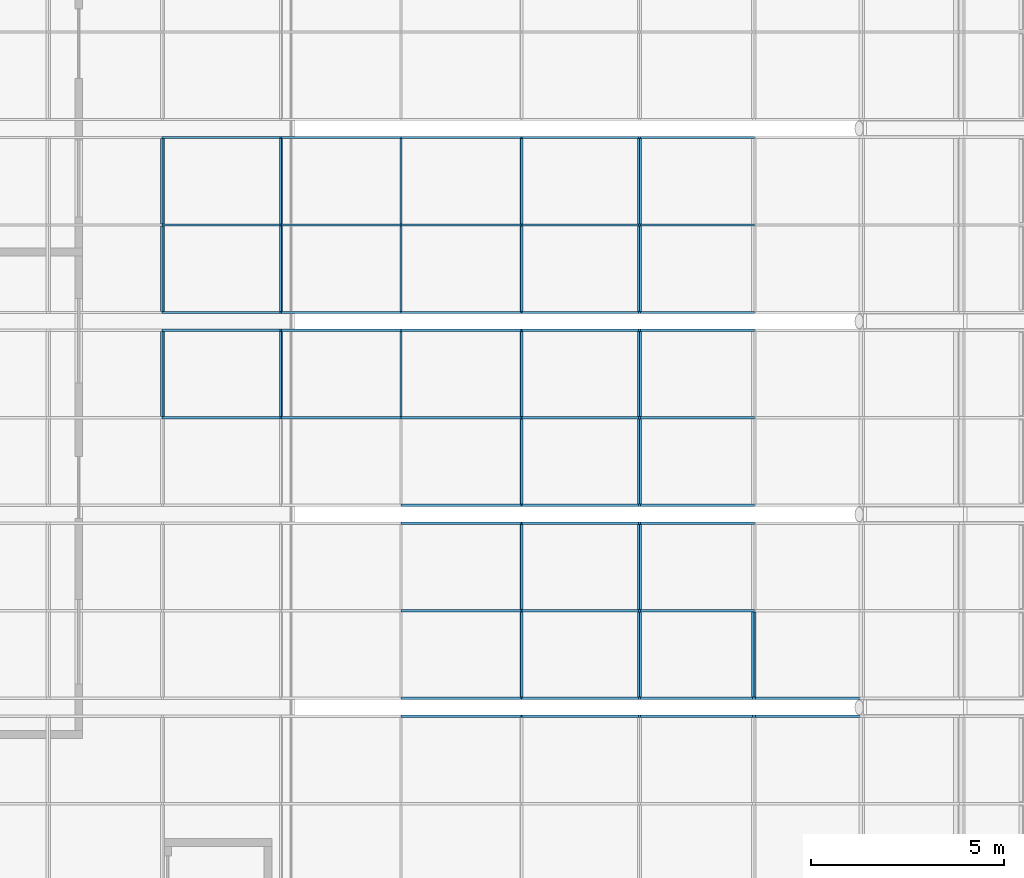
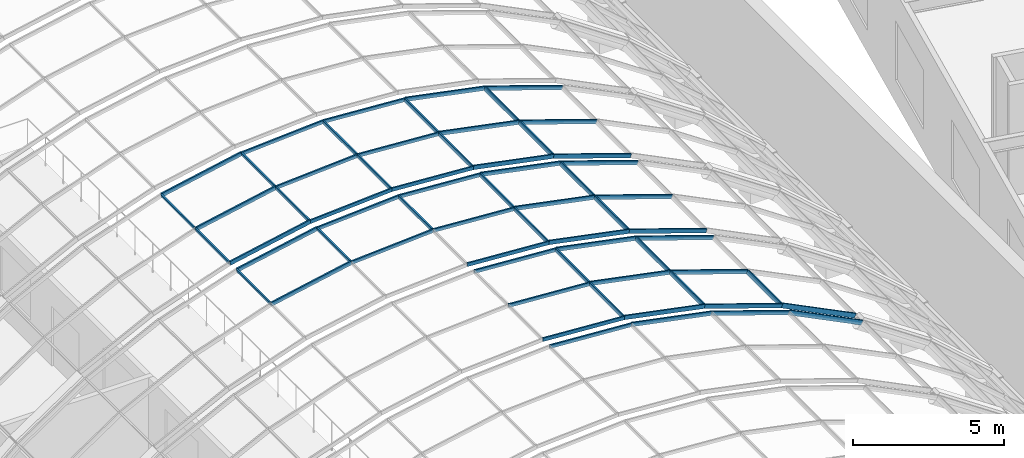
# One storey, part 46 of 182: 64 members, 4 elements without a shape of their own.
"""IFC4 building model written with IfcOpenShell, lengths in metres."""

from ifc_helpers import new_model, si_unit, direction, frame, origin, origin_2d, place, context, subcontext, project, spatial, rectangle, extrude, material, material_profile, profile_set, type_object, element, aggregate, save


model = new_model("IFC4")

# Units and contexts
model_context = context("Model", 3, precision=1e-05, world=origin(), true_north=direction((0.0, 1.0)))
body_context = subcontext(model_context, "Body", "Model", "MODEL_VIEW")
ifc_project = project(units=[si_unit("LENGTHUNIT", "METRE"), si_unit("AREAUNIT", "SQUARE_METRE"), si_unit("VOLUMEUNIT", "CUBIC_METRE"), si_unit("PLANEANGLEUNIT", "RADIAN"), si_unit("MASSUNIT", "GRAM", prefix="KILO")], contexts=[model_context])

# Site, building, storey
site_placement = place(None, origin())
site = spatial("IfcSite", under=ifc_project, at=site_placement, CompositionType="ELEMENT")
building_placement = place(site_placement, origin())
building = spatial("IfcBuilding", under=site, at=building_placement, Name="Okhra Congress Centre", CompositionType="ELEMENT")
storey_placement = place(building_placement, frame((0.0, 0.0, 7.199951171875)))
storey = spatial("IfcBuildingStorey", under=building, at=storey_placement, Name="L01", CompositionType="ELEMENT", Elevation=7.199951171875)

# Curtain wall, member
ifc_material_1 = material(Name="Aluminium frame with triple glazing", Category="aluminium")
curtain_wall_type = type_object("IfcCurtainWallType", Name="Glazed vault bay curtain wall", PredefinedType="NOTDEFINED", material=ifc_material_1)
curtain_wall_1_placement = place(storey_placement, origin())
curtain_wall_1 = element("IfcCurtainWall", 1, at=curtain_wall_1_placement, inside=storey, type_object=curtain_wall_type, Name="Vault glazing bay 6", PredefinedType="NOTDEFINED")
ifc_material_2 = material(Name="Aluminium alloy 6063", Category="aluminium")
ifc_material_profile_1 = material_profile(ifc_material_2, rectangle(XDim=0.06005859375, YDim=0.139892578125, at=origin_2d()), Name="AL 60x140")
ifc_profile_set_1 = profile_set([ifc_material_profile_1], Name="Aluminium alloy 6063")
member_type_1 = type_object("IfcMemberType", Name="Aluminium mullion 60x140", PredefinedType="MULLION", material=ifc_profile_set_1)
member_1_placement = place(storey_placement, frame((172.25, 105.766845703125, 8.945068359375), z_axis=(0.997826129775, 0.0, -0.065901553385), x_axis=(0.0, 1.0, 0.0)))
member_1 = element("IfcMember", 2, at=member_1_placement, type_object=member_type_1, Name="Vault mullion 6.3.7", PredefinedType="MULLION", context=body_context, shape_type="SweptSolid", body=[
    extrude(rectangle(XDim=0.06005859375, YDim=0.139892578125, at=origin_2d()), origin(), (0.0, 0.0, 1.0), 3.123046875),
])

# Curtain wall, members
curtain_wall_2_placement = place(storey_placement, origin())
curtain_wall_2 = element("IfcCurtainWall", 3, at=curtain_wall_2_placement, inside=storey, type_object=curtain_wall_type, Name="Vault glazing bay 7", PredefinedType="NOTDEFINED")
member_2_placement = place(storey_placement, frame((172.25, 106.233154296875, 8.945068359375), z_axis=(0.997826129775, 0.0, -0.065901553385), x_axis=(0.0, 1.0, 0.0)))
member_2 = element("IfcMember", 4, at=member_2_placement, type_object=member_type_1, Name="Vault mullion 7.1.7", PredefinedType="MULLION", context=body_context, shape_type="SweptSolid", body=[
    extrude(rectangle(XDim=0.06005859375, YDim=0.139892578125, at=origin_2d()), origin(), (0.0, 0.0, 1.0), 3.123046875),
])
member_3_placement = place(storey_placement, frame((172.25, 108.5, 8.945068359375), z_axis=(0.997826129775, 0.0, -0.065901553385), x_axis=(0.0, 1.0, 0.0)))
member_3 = element("IfcMember", 5, at=member_3_placement, type_object=member_type_1, Name="Vault mullion 7.2.7", PredefinedType="MULLION", context=body_context, shape_type="SweptSolid", body=[
    extrude(rectangle(XDim=0.06005859375, YDim=0.139892578125, at=origin_2d()), origin(), (0.0, 0.0, 1.0), 3.123046875),
])
member_4_placement = place(storey_placement, frame((172.25, 110.766845703125, 8.945068359375), z_axis=(0.997826129775, 0.0, -0.065901553385), x_axis=(0.0, 1.0, 0.0)))
member_4 = element("IfcMember", 6, at=member_4_placement, type_object=member_type_1, Name="Vault mullion 7.3.7", PredefinedType="MULLION", context=body_context, shape_type="SweptSolid", body=[
    extrude(rectangle(XDim=0.06005859375, YDim=0.139892578125, at=origin_2d()), origin(), (0.0, 0.0, 1.0), 3.123046875),
])

curtain_wall_3_placement = place(storey_placement, origin())
curtain_wall_3 = element("IfcCurtainWall", 7, at=curtain_wall_3_placement, inside=storey, type_object=curtain_wall_type, Name="Vault glazing bay 8", PredefinedType="NOTDEFINED")
member_5_placement = place(storey_placement, frame((172.25, 111.233154296875, 8.945068359375), z_axis=(0.997826129775, 0.0, -0.065901553385), x_axis=(0.0, 1.0, 0.0)))
member_5 = element("IfcMember", 8, at=member_5_placement, type_object=member_type_1, Name="Vault mullion 8.1.7", PredefinedType="MULLION", context=body_context, shape_type="SweptSolid", body=[
    extrude(rectangle(XDim=0.06005859375, YDim=0.139892578125, at=origin_2d()), origin(), (0.0, 0.0, 1.0), 3.123046875),
])
member_6_placement = place(storey_placement, frame((169.1337890625, 113.5, 8.7392578125), z_axis=(0.997826129775, 0.0, 0.065901553385), x_axis=(0.0, 1.0, 0.0)))
member_6 = element("IfcMember", 9, at=member_6_placement, type_object=member_type_1, Name="Vault mullion 8.2.6", PredefinedType="MULLION", context=body_context, shape_type="SweptSolid", body=[
    extrude(rectangle(XDim=0.06005859375, YDim=0.139892578125, at=origin_2d()), origin(), (0.0, 0.0, 1.0), 3.123046875),
])
member_7_placement = place(storey_placement, frame((172.25, 113.5, 8.945068359375), z_axis=(0.997826129775, 0.0, -0.065901553385), x_axis=(0.0, 1.0, 0.0)))
member_7 = element("IfcMember", 10, at=member_7_placement, type_object=member_type_1, Name="Vault mullion 8.2.7", PredefinedType="MULLION", context=body_context, shape_type="SweptSolid", body=[
    extrude(rectangle(XDim=0.06005859375, YDim=0.139892578125, at=origin_2d()), origin(), (0.0, 0.0, 1.0), 3.123046875),
])
member_8_placement = place(storey_placement, frame((169.1337890625, 115.766845703125, 8.7392578125), z_axis=(0.997826129775, 0.0, 0.065901553385), x_axis=(0.0, 1.0, 0.0)))
member_8 = element("IfcMember", 11, at=member_8_placement, type_object=member_type_1, Name="Vault mullion 8.3.6", PredefinedType="MULLION", context=body_context, shape_type="SweptSolid", body=[
    extrude(rectangle(XDim=0.06005859375, YDim=0.139892578125, at=origin_2d()), origin(), (0.0, 0.0, 1.0), 3.123046875),
])
member_9_placement = place(storey_placement, frame((172.25, 115.766845703125, 8.945068359375), z_axis=(0.997826129775, 0.0, -0.065901553385), x_axis=(0.0, 1.0, 0.0)))
member_9 = element("IfcMember", 12, at=member_9_placement, type_object=member_type_1, Name="Vault mullion 8.3.7", PredefinedType="MULLION", context=body_context, shape_type="SweptSolid", body=[
    extrude(rectangle(XDim=0.06005859375, YDim=0.139892578125, at=origin_2d()), origin(), (0.0, 0.0, 1.0), 3.123046875),
])

curtain_wall_4_placement = place(storey_placement, origin())
curtain_wall_4 = element("IfcCurtainWall", 13, at=curtain_wall_4_placement, inside=storey, type_object=curtain_wall_type, Name="Vault glazing bay 9", PredefinedType="NOTDEFINED")
member_10_placement = place(storey_placement, frame((169.1337890625, 116.233154296875, 8.7392578125), z_axis=(0.997826129775, 0.0, 0.065901553385), x_axis=(0.0, 1.0, 0.0)))
member_10 = element("IfcMember", 14, at=member_10_placement, type_object=member_type_1, Name="Vault mullion 9.1.6", PredefinedType="MULLION", context=body_context, shape_type="SweptSolid", body=[
    extrude(rectangle(XDim=0.06005859375, YDim=0.139892578125, at=origin_2d()), origin(), (0.0, 0.0, 1.0), 3.123046875),
])
member_11_placement = place(storey_placement, frame((172.25, 116.233154296875, 8.945068359375), z_axis=(0.997826129775, 0.0, -0.065901553385), x_axis=(0.0, 1.0, 0.0)))
member_11 = element("IfcMember", 15, at=member_11_placement, type_object=member_type_1, Name="Vault mullion 9.1.7", PredefinedType="MULLION", context=body_context, shape_type="SweptSolid", body=[
    extrude(rectangle(XDim=0.06005859375, YDim=0.139892578125, at=origin_2d()), origin(), (0.0, 0.0, 1.0), 3.123046875),
])
member_12_placement = place(storey_placement, frame((169.1337890625, 118.5, 8.7392578125), z_axis=(0.997826129775, 0.0, 0.065901553385), x_axis=(0.0, 1.0, 0.0)))
member_12 = element("IfcMember", 16, at=member_12_placement, type_object=member_type_1, Name="Vault mullion 9.2.6", PredefinedType="MULLION", context=body_context, shape_type="SweptSolid", body=[
    extrude(rectangle(XDim=0.06005859375, YDim=0.139892578125, at=origin_2d()), origin(), (0.0, 0.0, 1.0), 3.123046875),
])
member_13_placement = place(storey_placement, frame((172.25, 118.5, 8.945068359375), z_axis=(0.997826129775, 0.0, -0.065901553385), x_axis=(0.0, 1.0, 0.0)))
member_13 = element("IfcMember", 17, at=member_13_placement, type_object=member_type_1, Name="Vault mullion 9.2.7", PredefinedType="MULLION", context=body_context, shape_type="SweptSolid", body=[
    extrude(rectangle(XDim=0.06005859375, YDim=0.139892578125, at=origin_2d()), origin(), (0.0, 0.0, 1.0), 3.123046875),
])
member_14_placement = place(storey_placement, frame((169.1337890625, 120.766845703125, 8.7392578125), z_axis=(0.997826129775, 0.0, 0.065901553385), x_axis=(0.0, 1.0, 0.0)))
member_14 = element("IfcMember", 18, at=member_14_placement, type_object=member_type_1, Name="Vault mullion 9.3.6", PredefinedType="MULLION", context=body_context, shape_type="SweptSolid", body=[
    extrude(rectangle(XDim=0.06005859375, YDim=0.139892578125, at=origin_2d()), origin(), (0.0, 0.0, 1.0), 3.123046875),
])
member_15_placement = place(storey_placement, frame((172.25, 120.766845703125, 8.945068359375), z_axis=(0.997826129775, 0.0, -0.065901553385), x_axis=(0.0, 1.0, 0.0)))
member_15 = element("IfcMember", 19, at=member_15_placement, type_object=member_type_1, Name="Vault mullion 9.3.7", PredefinedType="MULLION", context=body_context, shape_type="SweptSolid", body=[
    extrude(rectangle(XDim=0.06005859375, YDim=0.139892578125, at=origin_2d()), origin(), (0.0, 0.0, 1.0), 3.123046875),
])

# Member
ifc_material_profile_2 = material_profile(ifc_material_2, rectangle(XDim=0.06005859375, YDim=0.159912109375, at=origin_2d()), Name="AL 60x160")
ifc_profile_set_2 = profile_set([ifc_material_profile_2], Name="Aluminium alloy 6063")
member_type_2 = type_object("IfcMemberType", Name="Aluminium mullion 60x160", PredefinedType="MULLION", material=ifc_profile_set_2)
member_16_placement = place(storey_placement, frame((175.367431640625, 105.766845703125, 8.7490234375), z_axis=(0.980484387086, 0.0, -0.196596965087), x_axis=(0.0, 1.0, 0.0)))
member_16 = element("IfcMember", 20, at=member_16_placement, type_object=member_type_2, Name="Vault mullion 6.3.8", PredefinedType="MULLION", context=body_context, shape_type="SweptSolid", body=[
    extrude(rectangle(XDim=0.06005859375, YDim=0.159912109375, at=origin_2d()), origin(), (0.0, 0.0, 1.0), 3.12451171875),
])

member_17_placement = place(storey_placement, frame((178.430908203125, 105.766845703125, 8.134765625), z_axis=(0.946065064306, 0.0, -0.323976687587), x_axis=(0.0, 1.0, 0.0)))
member_17 = element("IfcMember", 21, at=member_17_placement, type_object=member_type_2, Name="Vault mullion 6.3.9", PredefinedType="MULLION", context=body_context, shape_type="SweptSolid", body=[
    extrude(rectangle(XDim=0.06005859375, YDim=0.159912109375, at=origin_2d()), origin(), (0.0, 0.0, 1.0), 3.124267578125),
])

member_18_placement = place(storey_placement, frame((175.367431640625, 106.233154296875, 8.7490234375), z_axis=(0.980484387086, 0.0, -0.196596965087), x_axis=(0.0, 1.0, 0.0)))
member_18 = element("IfcMember", 22, at=member_18_placement, type_object=member_type_2, Name="Vault mullion 7.1.8", PredefinedType="MULLION", context=body_context, shape_type="SweptSolid", body=[
    extrude(rectangle(XDim=0.06005859375, YDim=0.159912109375, at=origin_2d()), origin(), (0.0, 0.0, 1.0), 3.12451171875),
])

member_19_placement = place(storey_placement, frame((178.430908203125, 106.233154296875, 8.134765625), z_axis=(0.946065064306, 0.0, -0.323976687587), x_axis=(0.0, 1.0, 0.0)))
member_19 = element("IfcMember", 23, at=member_19_placement, type_object=member_type_2, Name="Vault mullion 7.1.9", PredefinedType="MULLION", context=body_context, shape_type="SweptSolid", body=[
    extrude(rectangle(XDim=0.06005859375, YDim=0.159912109375, at=origin_2d()), origin(), (0.0, 0.0, 1.0), 3.124267578125),
])

member_20_placement = place(storey_placement, frame((175.367431640625, 108.5, 8.7490234375), z_axis=(0.980484387086, 0.0, -0.196596965087), x_axis=(0.0, 1.0, 0.0)))
member_20 = element("IfcMember", 24, at=member_20_placement, type_object=member_type_2, Name="Vault mullion 7.2.8", PredefinedType="MULLION", context=body_context, shape_type="SweptSolid", body=[
    extrude(rectangle(XDim=0.06005859375, YDim=0.159912109375, at=origin_2d()), origin(), (0.0, 0.0, 1.0), 3.12451171875),
])

member_21_placement = place(storey_placement, frame((178.430908203125, 108.5, 8.134765625), z_axis=(0.946065064306, 0.0, -0.323976687587), x_axis=(0.0, 1.0, 0.0)))
member_21 = element("IfcMember", 25, at=member_21_placement, type_object=member_type_2, Name="Vault mullion 7.2.9", PredefinedType="MULLION", context=body_context, shape_type="SweptSolid", body=[
    extrude(rectangle(XDim=0.06005859375, YDim=0.159912109375, at=origin_2d()), origin(), (0.0, 0.0, 1.0), 3.124267578125),
])

member_22_placement = place(storey_placement, frame((175.367431640625, 110.766845703125, 8.7490234375), z_axis=(0.980484387086, 0.0, -0.196596965087), x_axis=(0.0, 1.0, 0.0)))
member_22 = element("IfcMember", 26, at=member_22_placement, type_object=member_type_2, Name="Vault mullion 7.3.8", PredefinedType="MULLION", context=body_context, shape_type="SweptSolid", body=[
    extrude(rectangle(XDim=0.06005859375, YDim=0.159912109375, at=origin_2d()), origin(), (0.0, 0.0, 1.0), 3.12451171875),
])

member_23_placement = place(storey_placement, frame((178.430908203125, 110.766845703125, 8.134765625), z_axis=(0.946065064306, 0.0, -0.323976687587), x_axis=(0.0, 1.0, 0.0)))
member_23 = element("IfcMember", 27, at=member_23_placement, type_object=member_type_2, Name="Vault mullion 7.3.9", PredefinedType="MULLION", context=body_context, shape_type="SweptSolid", body=[
    extrude(rectangle(XDim=0.06005859375, YDim=0.159912109375, at=origin_2d()), origin(), (0.0, 0.0, 1.0), 3.124267578125),
])

member_24_placement = place(storey_placement, frame((175.367431640625, 111.233154296875, 8.7490234375), z_axis=(0.980484387086, 0.0, -0.196596965087), x_axis=(0.0, 1.0, 0.0)))
member_24 = element("IfcMember", 28, at=member_24_placement, type_object=member_type_2, Name="Vault mullion 8.1.8", PredefinedType="MULLION", context=body_context, shape_type="SweptSolid", body=[
    extrude(rectangle(XDim=0.06005859375, YDim=0.159912109375, at=origin_2d()), origin(), (0.0, 0.0, 1.0), 3.12451171875),
])

member_25_placement = place(storey_placement, frame((178.430908203125, 111.233154296875, 8.134765625), z_axis=(0.946065064306, 0.0, -0.323976687587), x_axis=(0.0, 1.0, 0.0)))
member_25 = element("IfcMember", 29, at=member_25_placement, type_object=member_type_2, Name="Vault mullion 8.1.9", PredefinedType="MULLION", context=body_context, shape_type="SweptSolid", body=[
    extrude(rectangle(XDim=0.06005859375, YDim=0.159912109375, at=origin_2d()), origin(), (0.0, 0.0, 1.0), 3.124267578125),
])

member_26_placement = place(storey_placement, frame((166.069091796875, 113.5, 8.134765625), z_axis=(0.980484387086, 0.0, 0.196596965087), x_axis=(0.0, 1.0, 0.0)))
member_26 = element("IfcMember", 30, at=member_26_placement, type_object=member_type_2, Name="Vault mullion 8.2.5", PredefinedType="MULLION", context=body_context, shape_type="SweptSolid", body=[
    extrude(rectangle(XDim=0.06005859375, YDim=0.159912109375, at=origin_2d()), origin(), (0.0, 0.0, 1.0), 3.12451171875),
])

member_27_placement = place(storey_placement, frame((175.367431640625, 113.5, 8.7490234375), z_axis=(0.980484387086, 0.0, -0.196596965087), x_axis=(0.0, 1.0, 0.0)))
member_27 = element("IfcMember", 31, at=member_27_placement, type_object=member_type_2, Name="Vault mullion 8.2.8", PredefinedType="MULLION", context=body_context, shape_type="SweptSolid", body=[
    extrude(rectangle(XDim=0.06005859375, YDim=0.159912109375, at=origin_2d()), origin(), (0.0, 0.0, 1.0), 3.12451171875),
])

member_28_placement = place(storey_placement, frame((178.430908203125, 113.5, 8.134765625), z_axis=(0.946065064306, 0.0, -0.323976687587), x_axis=(0.0, 1.0, 0.0)))
member_28 = element("IfcMember", 32, at=member_28_placement, type_object=member_type_2, Name="Vault mullion 8.2.9", PredefinedType="MULLION", context=body_context, shape_type="SweptSolid", body=[
    extrude(rectangle(XDim=0.06005859375, YDim=0.159912109375, at=origin_2d()), origin(), (0.0, 0.0, 1.0), 3.124267578125),
])

member_29_placement = place(storey_placement, frame((166.069091796875, 115.766845703125, 8.134765625), z_axis=(0.980484387086, 0.0, 0.196596965087), x_axis=(0.0, 1.0, 0.0)))
member_29 = element("IfcMember", 33, at=member_29_placement, type_object=member_type_2, Name="Vault mullion 8.3.5", PredefinedType="MULLION", context=body_context, shape_type="SweptSolid", body=[
    extrude(rectangle(XDim=0.06005859375, YDim=0.159912109375, at=origin_2d()), origin(), (0.0, 0.0, 1.0), 3.12451171875),
])

member_30_placement = place(storey_placement, frame((175.367431640625, 115.766845703125, 8.7490234375), z_axis=(0.980484387086, 0.0, -0.196596965087), x_axis=(0.0, 1.0, 0.0)))
member_30 = element("IfcMember", 34, at=member_30_placement, type_object=member_type_2, Name="Vault mullion 8.3.8", PredefinedType="MULLION", context=body_context, shape_type="SweptSolid", body=[
    extrude(rectangle(XDim=0.06005859375, YDim=0.159912109375, at=origin_2d()), origin(), (0.0, 0.0, 1.0), 3.12451171875),
])

member_31_placement = place(storey_placement, frame((178.430908203125, 115.766845703125, 8.134765625), z_axis=(0.946065064306, 0.0, -0.323976687587), x_axis=(0.0, 1.0, 0.0)))
member_31 = element("IfcMember", 35, at=member_31_placement, type_object=member_type_2, Name="Vault mullion 8.3.9", PredefinedType="MULLION", context=body_context, shape_type="SweptSolid", body=[
    extrude(rectangle(XDim=0.06005859375, YDim=0.159912109375, at=origin_2d()), origin(), (0.0, 0.0, 1.0), 3.124267578125),
])

member_32_placement = place(storey_placement, frame((166.069091796875, 116.233154296875, 8.134765625), z_axis=(0.980484387086, 0.0, 0.196596965087), x_axis=(0.0, 1.0, 0.0)))
member_32 = element("IfcMember", 36, at=member_32_placement, type_object=member_type_2, Name="Vault mullion 9.1.5", PredefinedType="MULLION", context=body_context, shape_type="SweptSolid", body=[
    extrude(rectangle(XDim=0.06005859375, YDim=0.159912109375, at=origin_2d()), origin(), (0.0, 0.0, 1.0), 3.12451171875),
])

member_33_placement = place(storey_placement, frame((175.367431640625, 116.233154296875, 8.7490234375), z_axis=(0.980484387086, 0.0, -0.196596965087), x_axis=(0.0, 1.0, 0.0)))
member_33 = element("IfcMember", 37, at=member_33_placement, type_object=member_type_2, Name="Vault mullion 9.1.8", PredefinedType="MULLION", context=body_context, shape_type="SweptSolid", body=[
    extrude(rectangle(XDim=0.06005859375, YDim=0.159912109375, at=origin_2d()), origin(), (0.0, 0.0, 1.0), 3.12451171875),
])

member_34_placement = place(storey_placement, frame((178.430908203125, 116.233154296875, 8.134765625), z_axis=(0.946065064306, 0.0, -0.323976687587), x_axis=(0.0, 1.0, 0.0)))
member_34 = element("IfcMember", 38, at=member_34_placement, type_object=member_type_2, Name="Vault mullion 9.1.9", PredefinedType="MULLION", context=body_context, shape_type="SweptSolid", body=[
    extrude(rectangle(XDim=0.06005859375, YDim=0.159912109375, at=origin_2d()), origin(), (0.0, 0.0, 1.0), 3.124267578125),
])

member_35_placement = place(storey_placement, frame((166.069091796875, 118.5, 8.134765625), z_axis=(0.980484387086, 0.0, 0.196596965087), x_axis=(0.0, 1.0, 0.0)))
member_35 = element("IfcMember", 39, at=member_35_placement, type_object=member_type_2, Name="Vault mullion 9.2.5", PredefinedType="MULLION", context=body_context, shape_type="SweptSolid", body=[
    extrude(rectangle(XDim=0.06005859375, YDim=0.159912109375, at=origin_2d()), origin(), (0.0, 0.0, 1.0), 3.12451171875),
])

member_36_placement = place(storey_placement, frame((175.367431640625, 118.5, 8.7490234375), z_axis=(0.980484387086, 0.0, -0.196596965087), x_axis=(0.0, 1.0, 0.0)))
member_36 = element("IfcMember", 40, at=member_36_placement, type_object=member_type_2, Name="Vault mullion 9.2.8", PredefinedType="MULLION", context=body_context, shape_type="SweptSolid", body=[
    extrude(rectangle(XDim=0.06005859375, YDim=0.159912109375, at=origin_2d()), origin(), (0.0, 0.0, 1.0), 3.12451171875),
])

member_37_placement = place(storey_placement, frame((178.430908203125, 118.5, 8.134765625), z_axis=(0.946065064306, 0.0, -0.323976687587), x_axis=(0.0, 1.0, 0.0)))
member_37 = element("IfcMember", 41, at=member_37_placement, type_object=member_type_2, Name="Vault mullion 9.2.9", PredefinedType="MULLION", context=body_context, shape_type="SweptSolid", body=[
    extrude(rectangle(XDim=0.06005859375, YDim=0.159912109375, at=origin_2d()), origin(), (0.0, 0.0, 1.0), 3.124267578125),
])

member_38_placement = place(storey_placement, frame((166.069091796875, 120.766845703125, 8.134765625), z_axis=(0.980484387086, 0.0, 0.196596965087), x_axis=(0.0, 1.0, 0.0)))
member_38 = element("IfcMember", 42, at=member_38_placement, type_object=member_type_2, Name="Vault mullion 9.3.5", PredefinedType="MULLION", context=body_context, shape_type="SweptSolid", body=[
    extrude(rectangle(XDim=0.06005859375, YDim=0.159912109375, at=origin_2d()), origin(), (0.0, 0.0, 1.0), 3.12451171875),
])

member_39_placement = place(storey_placement, frame((175.367431640625, 120.766845703125, 8.7490234375), z_axis=(0.980484387086, 0.0, -0.196596965087), x_axis=(0.0, 1.0, 0.0)))
member_39 = element("IfcMember", 43, at=member_39_placement, type_object=member_type_2, Name="Vault mullion 9.3.8", PredefinedType="MULLION", context=body_context, shape_type="SweptSolid", body=[
    extrude(rectangle(XDim=0.06005859375, YDim=0.159912109375, at=origin_2d()), origin(), (0.0, 0.0, 1.0), 3.12451171875),
])

member_40_placement = place(storey_placement, frame((178.430908203125, 120.766845703125, 8.134765625), z_axis=(0.946065064306, 0.0, -0.323976687587), x_axis=(0.0, 1.0, 0.0)))
member_40 = element("IfcMember", 44, at=member_40_placement, type_object=member_type_2, Name="Vault mullion 9.3.9", PredefinedType="MULLION", context=body_context, shape_type="SweptSolid", body=[
    extrude(rectangle(XDim=0.06005859375, YDim=0.159912109375, at=origin_2d()), origin(), (0.0, 0.0, 1.0), 3.124267578125),
])

ifc_material_profile_3 = material_profile(ifc_material_2, rectangle(XDim=0.06005859375, YDim=0.179931640625, at=origin_2d()), Name="AL 60x180")
ifc_profile_set_3 = profile_set([ifc_material_profile_3], Name="Aluminium alloy 6063")
member_type_3 = type_object("IfcMemberType", Name="Aluminium mullion 60x180", PredefinedType="MULLION", material=ifc_profile_set_3)
member_41_placement = place(storey_placement, frame((181.390625, 105.766845703125, 7.1318359375), z_axis=(0.895253656313, 0.0, -0.445556832354), x_axis=(0.0, 1.0, 0.0)))
member_41 = element("IfcMember", 45, at=member_41_placement, type_object=member_type_3, Name="Vault mullion 6.3.10", PredefinedType="MULLION", context=body_context, shape_type="SweptSolid", body=[
    extrude(rectangle(XDim=0.06005859375, YDim=0.179931640625, at=origin_2d()), origin(), (0.0, 0.0, 1.0), 3.12548828125),
])

aggregate(curtain_wall_1, [member_1, member_16, member_17, member_41])

member_42_placement = place(storey_placement, frame((181.390625, 106.233154296875, 7.1318359375), z_axis=(0.895253656313, 0.0, -0.445556832354), x_axis=(0.0, 1.0, 0.0)))
member_42 = element("IfcMember", 46, at=member_42_placement, type_object=member_type_3, Name="Vault mullion 7.1.10", PredefinedType="MULLION", context=body_context, shape_type="SweptSolid", body=[
    extrude(rectangle(XDim=0.06005859375, YDim=0.179931640625, at=origin_2d()), origin(), (0.0, 0.0, 1.0), 3.12548828125),
])

ifc_material_profile_4 = material_profile(ifc_material_2, rectangle(XDim=0.06005859375, YDim=0.139892578125, at=origin_2d()), Name="AL 60x140 transom")
ifc_profile_set_4 = profile_set([ifc_material_profile_4], Name="Aluminium alloy 6063")
member_type_4 = type_object("IfcMemberType", Name="Aluminium transom 60x140", PredefinedType="USERDEFINED", material=ifc_profile_set_4)
member_43_placement = place(storey_placement, frame((175.3662109375, 106.26318359375, 8.7392578125), z_axis=(0.0, 1.0, 0.0), x_axis=(-0.991307202734, 0.0, 0.131567586459)))
member_43 = element("IfcMember", 47, at=member_43_placement, type_object=member_type_4, Name="Vault transom 7.1.8", ObjectType="TRANSOM", PredefinedType="USERDEFINED", context=body_context, shape_type="SweptSolid", body=[
    extrude(rectangle(XDim=0.06005859375, YDim=0.139892578125, at=origin_2d()), origin(), (0.0, 0.0, 1.0), 2.206787109375),
])

member_44_placement = place(storey_placement, frame((175.3662109375, 108.530029296875, 8.7392578125), z_axis=(0.0, 1.0, 0.0), x_axis=(-0.991307202734, 0.0, 0.131567586459)))
member_44 = element("IfcMember", 48, at=member_44_placement, type_object=member_type_4, Name="Vault transom 7.2.8", ObjectType="TRANSOM", PredefinedType="USERDEFINED", context=body_context, shape_type="SweptSolid", body=[
    extrude(rectangle(XDim=0.06005859375, YDim=0.139892578125, at=origin_2d()), origin(), (0.0, 0.0, 1.0), 2.206787109375),
])

member_45_placement = place(storey_placement, frame((175.3662109375, 111.26318359375, 8.7392578125), z_axis=(0.0, 1.0, 0.0), x_axis=(-0.991307202734, 0.0, 0.131567586459)))
member_45 = element("IfcMember", 49, at=member_45_placement, type_object=member_type_4, Name="Vault transom 8.1.8", ObjectType="TRANSOM", PredefinedType="USERDEFINED", context=body_context, shape_type="SweptSolid", body=[
    extrude(rectangle(XDim=0.06005859375, YDim=0.139892578125, at=origin_2d()), origin(), (0.0, 0.0, 1.0), 2.206787109375),
])

member_46_placement = place(storey_placement, frame((169.1337890625, 113.530029296875, 8.7392578125), z_axis=(0.0, 1.0, 0.0), x_axis=(-0.991307202734, 0.0, -0.131567586459)))
member_46 = element("IfcMember", 50, at=member_46_placement, type_object=member_type_4, Name="Vault transom 8.2.6", ObjectType="TRANSOM", PredefinedType="USERDEFINED", context=body_context, shape_type="SweptSolid", body=[
    extrude(rectangle(XDim=0.06005859375, YDim=0.139892578125, at=origin_2d()), origin(), (0.0, 0.0, 1.0), 2.206787109375),
])

member_47_placement = place(storey_placement, frame((172.25, 113.530029296875, 8.945068359375), z_axis=(0.0, 1.0, 0.0), x_axis=(-1.0, 0.0, 0.0)))
member_47 = element("IfcMember", 51, at=member_47_placement, type_object=member_type_4, Name="Vault transom 8.2.7", ObjectType="TRANSOM", PredefinedType="USERDEFINED", context=body_context, shape_type="SweptSolid", body=[
    extrude(rectangle(XDim=0.06005859375, YDim=0.139892578125, at=origin_2d()), origin(), (0.0, 0.0, 1.0), 2.206787109375),
])

member_48_placement = place(storey_placement, frame((175.3662109375, 113.530029296875, 8.7392578125), z_axis=(0.0, 1.0, 0.0), x_axis=(-0.991307202734, 0.0, 0.131567586459)))
member_48 = element("IfcMember", 52, at=member_48_placement, type_object=member_type_4, Name="Vault transom 8.2.8", ObjectType="TRANSOM", PredefinedType="USERDEFINED", context=body_context, shape_type="SweptSolid", body=[
    extrude(rectangle(XDim=0.06005859375, YDim=0.139892578125, at=origin_2d()), origin(), (0.0, 0.0, 1.0), 2.206787109375),
])

member_49_placement = place(storey_placement, frame((169.1337890625, 116.26318359375, 8.7392578125), z_axis=(0.0, 1.0, 0.0), x_axis=(-0.991307202734, 0.0, -0.131567586459)))
member_49 = element("IfcMember", 53, at=member_49_placement, type_object=member_type_4, Name="Vault transom 9.1.6", ObjectType="TRANSOM", PredefinedType="USERDEFINED", context=body_context, shape_type="SweptSolid", body=[
    extrude(rectangle(XDim=0.06005859375, YDim=0.139892578125, at=origin_2d()), origin(), (0.0, 0.0, 1.0), 2.206787109375),
])

member_50_placement = place(storey_placement, frame((172.25, 116.26318359375, 8.945068359375), z_axis=(0.0, 1.0, 0.0), x_axis=(-1.0, 0.0, 0.0)))
member_50 = element("IfcMember", 54, at=member_50_placement, type_object=member_type_4, Name="Vault transom 9.1.7", ObjectType="TRANSOM", PredefinedType="USERDEFINED", context=body_context, shape_type="SweptSolid", body=[
    extrude(rectangle(XDim=0.06005859375, YDim=0.139892578125, at=origin_2d()), origin(), (0.0, 0.0, 1.0), 2.206787109375),
])

member_51_placement = place(storey_placement, frame((175.3662109375, 116.26318359375, 8.7392578125), z_axis=(0.0, 1.0, 0.0), x_axis=(-0.991307202734, 0.0, 0.131567586459)))
member_51 = element("IfcMember", 55, at=member_51_placement, type_object=member_type_4, Name="Vault transom 9.1.8", ObjectType="TRANSOM", PredefinedType="USERDEFINED", context=body_context, shape_type="SweptSolid", body=[
    extrude(rectangle(XDim=0.06005859375, YDim=0.139892578125, at=origin_2d()), origin(), (0.0, 0.0, 1.0), 2.206787109375),
])

member_52_placement = place(storey_placement, frame((169.1337890625, 118.530029296875, 8.7392578125), z_axis=(0.0, 1.0, 0.0), x_axis=(-0.991307202734, 0.0, -0.131567586459)))
member_52 = element("IfcMember", 56, at=member_52_placement, type_object=member_type_4, Name="Vault transom 9.2.6", ObjectType="TRANSOM", PredefinedType="USERDEFINED", context=body_context, shape_type="SweptSolid", body=[
    extrude(rectangle(XDim=0.06005859375, YDim=0.139892578125, at=origin_2d()), origin(), (0.0, 0.0, 1.0), 2.206787109375),
])

member_53_placement = place(storey_placement, frame((172.25, 118.530029296875, 8.945068359375), z_axis=(0.0, 1.0, 0.0), x_axis=(-1.0, 0.0, 0.0)))
member_53 = element("IfcMember", 57, at=member_53_placement, type_object=member_type_4, Name="Vault transom 9.2.7", ObjectType="TRANSOM", PredefinedType="USERDEFINED", context=body_context, shape_type="SweptSolid", body=[
    extrude(rectangle(XDim=0.06005859375, YDim=0.139892578125, at=origin_2d()), origin(), (0.0, 0.0, 1.0), 2.206787109375),
])

member_54_placement = place(storey_placement, frame((175.3662109375, 118.530029296875, 8.7392578125), z_axis=(0.0, 1.0, 0.0), x_axis=(-0.991307202734, 0.0, 0.131567586459)))
member_54 = element("IfcMember", 58, at=member_54_placement, type_object=member_type_4, Name="Vault transom 9.2.8", ObjectType="TRANSOM", PredefinedType="USERDEFINED", context=body_context, shape_type="SweptSolid", body=[
    extrude(rectangle(XDim=0.06005859375, YDim=0.139892578125, at=origin_2d()), origin(), (0.0, 0.0, 1.0), 2.206787109375),
])

ifc_material_profile_5 = material_profile(ifc_material_2, rectangle(XDim=0.06005859375, YDim=0.159912109375, at=origin_2d()), Name="AL 60x160 transom")
ifc_profile_set_5 = profile_set([ifc_material_profile_5], Name="Aluminium alloy 6063")
member_type_5 = type_object("IfcMemberType", Name="Aluminium transom 60x160", PredefinedType="USERDEFINED", material=ifc_profile_set_5)
member_55_placement = place(storey_placement, frame((178.430908203125, 106.26318359375, 8.134765625), z_axis=(0.0, 1.0, 0.0), x_axis=(-0.965379940391, 0.0, 0.260847792191)))
member_55 = element("IfcMember", 59, at=member_55_placement, type_object=member_type_5, Name="Vault transom 7.1.9", ObjectType="TRANSOM", PredefinedType="USERDEFINED", context=body_context, shape_type="SweptSolid", body=[
    extrude(rectangle(XDim=0.06005859375, YDim=0.159912109375, at=origin_2d()), origin(), (0.0, 0.0, 1.0), 2.206787109375),
])

member_56_placement = place(storey_placement, frame((181.38671875, 106.26318359375, 7.12255859375), z_axis=(0.0, 1.0, 0.0), x_axis=(-0.922668973833, 0.0, 0.38559300399)))
member_56 = element("IfcMember", 60, at=member_56_placement, type_object=member_type_5, Name="Vault transom 7.1.10", ObjectType="TRANSOM", PredefinedType="USERDEFINED", context=body_context, shape_type="SweptSolid", body=[
    extrude(rectangle(XDim=0.06005859375, YDim=0.159912109375, at=origin_2d()), origin(), (0.0, 0.0, 1.0), 2.206787109375),
])

member_57_placement = place(storey_placement, frame((178.430908203125, 108.530029296875, 8.134765625), z_axis=(0.0, 1.0, 0.0), x_axis=(-0.965379940391, 0.0, 0.260847792191)))
member_57 = element("IfcMember", 61, at=member_57_placement, type_object=member_type_5, Name="Vault transom 7.2.9", ObjectType="TRANSOM", PredefinedType="USERDEFINED", context=body_context, shape_type="SweptSolid", body=[
    extrude(rectangle(XDim=0.06005859375, YDim=0.159912109375, at=origin_2d()), origin(), (0.0, 0.0, 1.0), 2.206787109375),
])

aggregate(curtain_wall_2, [member_2, member_18, member_19, member_42, member_3, member_20, member_21, member_4, member_22, member_23, member_43, member_55, member_56, member_44, member_57])

member_58_placement = place(storey_placement, frame((178.430908203125, 111.26318359375, 8.134765625), z_axis=(0.0, 1.0, 0.0), x_axis=(-0.965379940391, 0.0, 0.260847792191)))
member_58 = element("IfcMember", 62, at=member_58_placement, type_object=member_type_5, Name="Vault transom 8.1.9", ObjectType="TRANSOM", PredefinedType="USERDEFINED", context=body_context, shape_type="SweptSolid", body=[
    extrude(rectangle(XDim=0.06005859375, YDim=0.159912109375, at=origin_2d()), origin(), (0.0, 0.0, 1.0), 2.206787109375),
])

member_59_placement = place(storey_placement, frame((166.069091796875, 113.530029296875, 8.134765625), z_axis=(0.0, 1.0, 0.0), x_axis=(-0.965379940391, 0.0, -0.260847792191)))
member_59 = element("IfcMember", 63, at=member_59_placement, type_object=member_type_5, Name="Vault transom 8.2.5", ObjectType="TRANSOM", PredefinedType="USERDEFINED", context=body_context, shape_type="SweptSolid", body=[
    extrude(rectangle(XDim=0.06005859375, YDim=0.159912109375, at=origin_2d()), origin(), (0.0, 0.0, 1.0), 2.206787109375),
])

member_60_placement = place(storey_placement, frame((178.430908203125, 113.530029296875, 8.134765625), z_axis=(0.0, 1.0, 0.0), x_axis=(-0.965379940391, 0.0, 0.260847792191)))
member_60 = element("IfcMember", 64, at=member_60_placement, type_object=member_type_5, Name="Vault transom 8.2.9", ObjectType="TRANSOM", PredefinedType="USERDEFINED", context=body_context, shape_type="SweptSolid", body=[
    extrude(rectangle(XDim=0.06005859375, YDim=0.159912109375, at=origin_2d()), origin(), (0.0, 0.0, 1.0), 2.206787109375),
])

aggregate(curtain_wall_3, [member_5, member_24, member_25, member_26, member_6, member_7, member_27, member_28, member_29, member_8, member_9, member_30, member_31, member_45, member_58, member_59, member_46, member_47, member_48, member_60])

member_61_placement = place(storey_placement, frame((166.069091796875, 116.26318359375, 8.134765625), z_axis=(0.0, 1.0, 0.0), x_axis=(-0.965379940391, 0.0, -0.260847792191)))
member_61 = element("IfcMember", 65, at=member_61_placement, type_object=member_type_5, Name="Vault transom 9.1.5", ObjectType="TRANSOM", PredefinedType="USERDEFINED", context=body_context, shape_type="SweptSolid", body=[
    extrude(rectangle(XDim=0.06005859375, YDim=0.159912109375, at=origin_2d()), origin(), (0.0, 0.0, 1.0), 2.206787109375),
])

member_62_placement = place(storey_placement, frame((178.430908203125, 116.26318359375, 8.134765625), z_axis=(0.0, 1.0, 0.0), x_axis=(-0.965379940391, 0.0, 0.260847792191)))
member_62 = element("IfcMember", 66, at=member_62_placement, type_object=member_type_5, Name="Vault transom 9.1.9", ObjectType="TRANSOM", PredefinedType="USERDEFINED", context=body_context, shape_type="SweptSolid", body=[
    extrude(rectangle(XDim=0.06005859375, YDim=0.159912109375, at=origin_2d()), origin(), (0.0, 0.0, 1.0), 2.206787109375),
])

member_63_placement = place(storey_placement, frame((166.069091796875, 118.530029296875, 8.134765625), z_axis=(0.0, 1.0, 0.0), x_axis=(-0.965379940391, 0.0, -0.260847792191)))
member_63 = element("IfcMember", 67, at=member_63_placement, type_object=member_type_5, Name="Vault transom 9.2.5", ObjectType="TRANSOM", PredefinedType="USERDEFINED", context=body_context, shape_type="SweptSolid", body=[
    extrude(rectangle(XDim=0.06005859375, YDim=0.159912109375, at=origin_2d()), origin(), (0.0, 0.0, 1.0), 2.206787109375),
])

member_64_placement = place(storey_placement, frame((178.430908203125, 118.530029296875, 8.134765625), z_axis=(0.0, 1.0, 0.0), x_axis=(-0.965379940391, 0.0, 0.260847792191)))
member_64 = element("IfcMember", 68, at=member_64_placement, type_object=member_type_5, Name="Vault transom 9.2.9", ObjectType="TRANSOM", PredefinedType="USERDEFINED", context=body_context, shape_type="SweptSolid", body=[
    extrude(rectangle(XDim=0.06005859375, YDim=0.159912109375, at=origin_2d()), origin(), (0.0, 0.0, 1.0), 2.206787109375),
])

aggregate(curtain_wall_4, [member_32, member_10, member_11, member_33, member_34, member_35, member_12, member_13, member_36, member_37, member_38, member_14, member_15, member_39, member_40, member_61, member_49, member_50, member_51, member_62, member_63, member_52, member_53, member_54, member_64])

save(model, "model.ifc")
